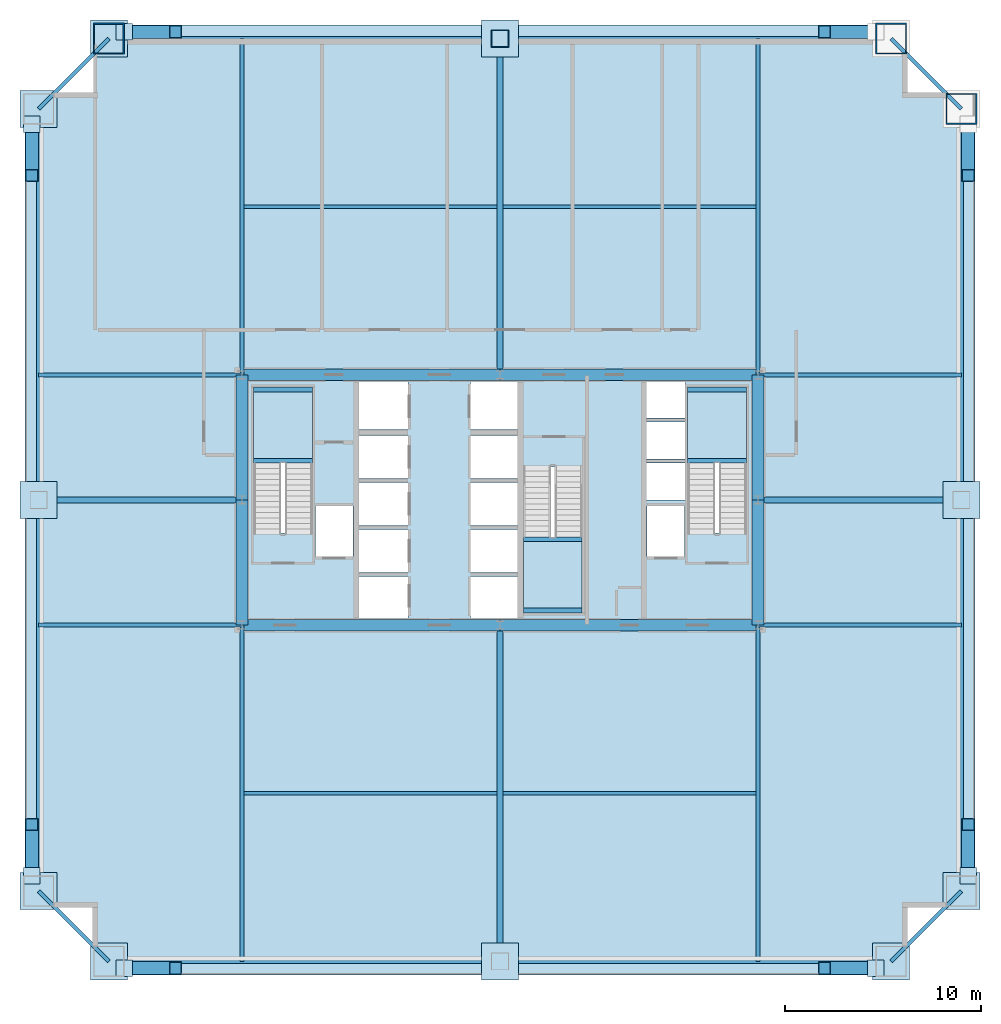
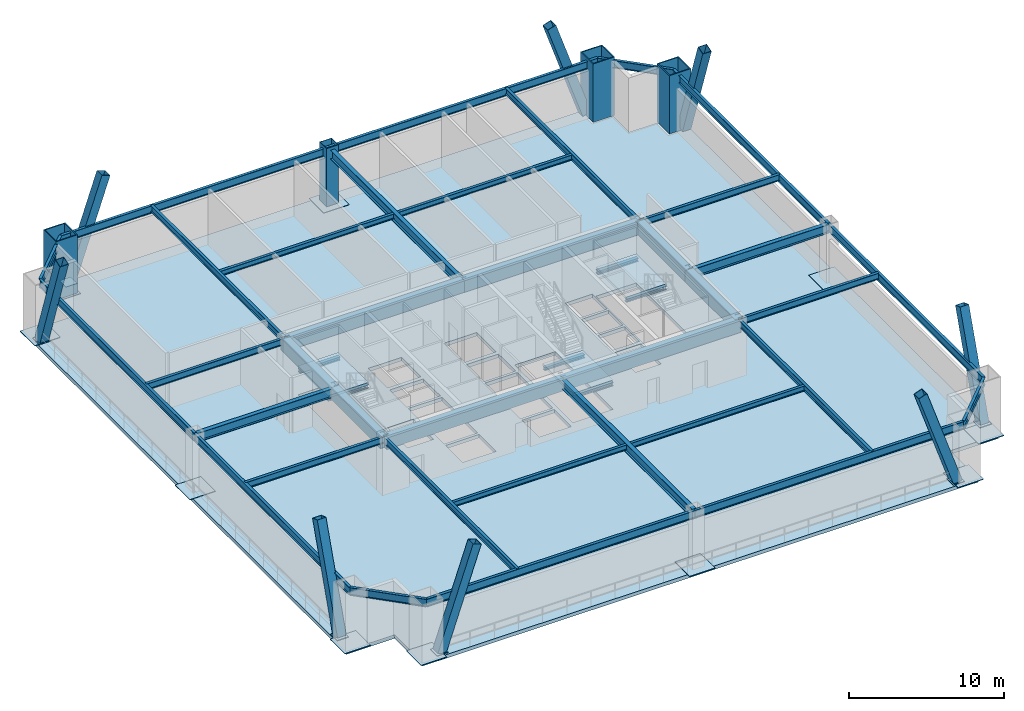
# One storey, part 2 of 9: 42 beams, 16 plates, 8 members, 4 columns, 4 slabs, 3 elements without a shape of their own.
"""IFC4 building model written with IfcOpenShell, lengths in metres."""

from ifc_helpers import new_model, si_unit, direction, frame, origin, origin_2d, place, context, subcontext, project, spatial, polyline, rectangle, hollow_rectangle, i_section, outline, extrude, source, transform, mapped, material, layer, layer_set, material_profile, profile_set, type_object, element, aggregate, save


model = new_model("IFC4")

# Units and contexts
model_context = context("Model", 3, precision=1e-05, world=origin(), true_north=direction((0.0, 1.0)))
body_context = subcontext(model_context, "Body", "Model", "MODEL_VIEW")
ifc_project = project(units=[si_unit("LENGTHUNIT", "METRE"), si_unit("AREAUNIT", "SQUARE_METRE"), si_unit("VOLUMEUNIT", "CUBIC_METRE"), si_unit("PLANEANGLEUNIT", "RADIAN"), si_unit("MASSUNIT", "GRAM", prefix="KILO"), si_unit("THERMODYNAMICTEMPERATUREUNIT", "KELVIN"), si_unit("POWERUNIT", "WATT")], contexts=[model_context])

# Site, building, storey
site_placement = place(None, origin())
site = spatial("IfcSite", under=ifc_project, at=site_placement, CompositionType="ELEMENT")
building_placement = place(site_placement, origin())
building = spatial("IfcBuilding", under=site, at=building_placement, Name="Yuzanri Waterfront Tower", CompositionType="ELEMENT")
storey_placement = place(building_placement, frame((0.0, 0.0, 85.60009765625)))
storey = spatial("IfcBuildingStorey", under=building, at=storey_placement, Name="L22", CompositionType="ELEMENT", Elevation=85.60009765625)

# Columns
ifc_material_1 = material(Name="Steel Q420GJC", Category="steel")
ifc_material_profile_1 = material_profile(ifc_material_1, hollow_rectangle(XDim=1.60009765625, YDim=1.60009765625, WallThickness=0.070068359375, at=origin_2d()), Name="RHS 1600x1600x70")
ifc_profile_set_1 = profile_set([ifc_material_profile_1], Name="Steel Q420GJC")
column_type_1 = type_object("IfcColumnType", Name="Mega Column Q420GJC RHS 1600x1600x70", PredefinedType="COLUMN", material=ifc_profile_set_1)
shared_shape_1 = source(origin(), body_context, "Body", "SweptSolid", [
    extrude(hollow_rectangle(XDim=1.60009765625, YDim=1.60009765625, WallThickness=0.070068359375, at=origin_2d()), origin(), (0.0, 0.0, 1.0), 4.599853515625),
])
for number, where, z_axis, x_axis, name in (
    (1, (17.0, 49.39990234375, 0.0), (0.0, 0.0, 1.0), (1.0, 0.0, 0.0), "L22 Perimeter Mega Column N1"),
    (2, (57.0, 49.39990234375, 0.0), (0.0, 0.0, 1.0), (1.0, 0.0, 0.0), "L22 Perimeter Mega Column N3"),
    (3, (60.60009765625, 45.800048828125, 0.0), (0.0, 0.0, 1.0), (1.0, 0.0, 0.0), "L22 Perimeter Mega Column E3"),
):
    element("IfcColumn", number, at=place(storey_placement, frame(where, z_axis=z_axis, x_axis=x_axis)), inside=storey, type_object=column_type_1, Name=name, PredefinedType="COLUMN", context=body_context, shape_type="MappedRepresentation", body=[
        mapped(shared_shape_1, transform((0.0, 0.0, 0.0), scale=1.0)),
    ])
ifc_material_2 = material(Name="Steel Q390GJC", Category="steel")
ifc_material_profile_2 = material_profile(ifc_material_2, hollow_rectangle(XDim=0.89990234375, YDim=0.89990234375, WallThickness=0.0419921875, at=origin_2d()), Name="RHS 900x900x42")
ifc_profile_set_2 = profile_set([ifc_material_profile_2], Name="Steel Q390GJC")
column_type_2 = type_object("IfcColumnType", Name="Frame Column Q390GJC RHS 900x900x42", PredefinedType="COLUMN", material=ifc_profile_set_2)
shared_shape_2 = source(origin(), body_context, "Body", "SweptSolid", [
    extrude(hollow_rectangle(XDim=0.89990234375, YDim=0.89990234375, WallThickness=0.0419921875, at=origin_2d()), origin(), (0.0, 0.0, 1.0), 4.599853515625),
])
column_placement = place(storey_placement, frame((37.0, 49.39990234375, 0.0), z_axis=(0.0, 0.0, 1.0), x_axis=(1.0, 0.0, 0.0)))
element("IfcColumn", 4, at=column_placement, inside=storey, type_object=column_type_2, Name="L22 Perimeter Frame Column N2", PredefinedType="COLUMN", context=body_context, shape_type="MappedRepresentation", body=[
    mapped(shared_shape_2, transform((0.0, 0.0, 0.0), scale=1.0)),
])

# Beams
ifc_material_3 = material(Name="Concrete C60", Category="concrete")
ifc_material_profile_3 = material_profile(ifc_material_3, rectangle(XDim=0.60009765625, YDim=0.89990234375, at=origin_2d()), Name="RC 600x900")
ifc_profile_set_3 = profile_set([ifc_material_profile_3], Name="Concrete C60")
beam_type_1 = type_object("IfcBeamType", Name="Core Coupling Lintel Concrete C60 600x900", PredefinedType="LINTEL", material=ifc_profile_set_3)
shared_shape_3 = source(origin(), body_context, "Body", "SweptSolid", [
    extrude(rectangle(XDim=0.60009765625, YDim=0.89990234375, at=origin_2d()), origin(), (0.0, 0.0, 1.0), 13.199951171875),
])
for number, where, z_axis, x_axis, name in (
    (5, (23.800048828125, 19.39990234375, 3.929931640625), (1.0, 0.0, 0.0), (0.0, 1.0, 0.0), "L22 Core Tie Beam CS1"),
    (6, (37.0, 19.39990234375, 3.929931640625), (1.0, 0.0, 0.0), (0.0, 1.0, 0.0), "L22 Core Tie Beam CS2"),
    (7, (23.800048828125, 32.199951171875, 3.929931640625), (1.0, 0.0, 0.0), (0.0, 1.0, 0.0), "L22 Core Tie Beam CN1"),
    (8, (37.0, 32.199951171875, 3.929931640625), (1.0, 0.0, 0.0), (0.0, 1.0, 0.0), "L22 Core Tie Beam CN2"),
):
    element("IfcBeam", number, at=place(storey_placement, frame(where, z_axis=z_axis, x_axis=x_axis)), inside=storey, type_object=beam_type_1, Name=name, PredefinedType="LINTEL", context=body_context, shape_type="MappedRepresentation", body=[
        mapped(shared_shape_3, transform((0.0, 0.0, 0.0), scale=1.0)),
    ])
shared_shape_4 = source(origin(), body_context, "Body", "SweptSolid", [
    extrude(rectangle(XDim=0.60009765625, YDim=0.89990234375, at=origin_2d()), origin(), (0.0, 0.0, 1.0), 6.400146484375),
])
for number, where, z_axis, x_axis, name in (
    (9, (23.800048828125, 19.39990234375, 3.929931640625), (0.0, 1.0, 0.0), (-1.0, 0.0, 0.0), "L22 Core Tie Beam CW1"),
    (10, (50.199951171875, 19.39990234375, 3.929931640625), (0.0, 1.0, 0.0), (-1.0, 0.0, 0.0), "L22 Core Tie Beam CE1"),
):
    element("IfcBeam", number, at=place(storey_placement, frame(where, z_axis=z_axis, x_axis=x_axis)), inside=storey, type_object=beam_type_1, Name=name, PredefinedType="LINTEL", context=body_context, shape_type="MappedRepresentation", body=[
        mapped(shared_shape_4, transform((0.0, 0.0, 0.0), scale=1.0)),
    ])
shared_shape_5 = source(origin(), body_context, "Body", "SweptSolid", [
    extrude(rectangle(XDim=0.60009765625, YDim=0.89990234375, at=origin_2d()), origin(), (0.0, 0.0, 1.0), 6.39990234375),
])
for number, where, z_axis, x_axis, name in (
    (11, (23.800048828125, 25.800048828125, 3.929931640625), (0.0, 1.0, 0.0), (-1.0, 0.0, 0.0), "L22 Core Tie Beam CW2"),
    (12, (50.199951171875, 25.800048828125, 3.929931640625), (0.0, 1.0, 0.0), (-1.0, 0.0, 0.0), "L22 Core Tie Beam CE2"),
):
    element("IfcBeam", number, at=place(storey_placement, frame(where, z_axis=z_axis, x_axis=x_axis)), inside=storey, type_object=beam_type_1, Name=name, PredefinedType="LINTEL", context=body_context, shape_type="MappedRepresentation", body=[
        mapped(shared_shape_5, transform((0.0, 0.0, 0.0), scale=1.0)),
    ])
ifc_material_4 = material(Name="Steel Q355B", Category="steel")
ifc_material_profile_4 = material_profile(ifc_material_4, i_section(OverallWidth=0.199951171875, OverallDepth=0.60009765625, WebThickness=0.010986328125, FlangeThickness=0.01708984375, at=origin_2d()), Name="HN 600x200x11x17")
ifc_profile_set_4 = profile_set([ifc_material_profile_4], Name="Steel Q355B")
beam_type_2 = type_object("IfcBeamType", Name="Perimeter Spandrel Q355B HN 600x200", PredefinedType="SPANDREL", material=ifc_profile_set_4)
shared_shape_6 = source(origin(), body_context, "Body", "SweptSolid", [
    extrude(i_section(OverallWidth=0.199951171875, OverallDepth=0.60009765625, WebThickness=0.010986328125, FlangeThickness=0.01708984375, at=origin_2d()), origin(), (0.0, 0.0, 1.0), 5.09130859375),
])
for number, where, z_axis, x_axis, name in (
    (13, (57.0, 2.199951171875, 4.079833984375), (0.707106781187, 0.707106781187, 0.0), (-0.707106781187, 0.707106781187, 0.0), "L22 Perimeter Spandrel S3-E1"),
    (14, (13.39990234375, 5.800048828125, 4.079833984375), (0.707106781187, -0.707106781187, 0.0), (0.707106781187, 0.707106781187, 0.0), "L22 Perimeter Spandrel W1-S1"),
):
    element("IfcBeam", number, at=place(storey_placement, frame(where, z_axis=z_axis, x_axis=x_axis)), inside=storey, type_object=beam_type_2, Name=name, PredefinedType="SPANDREL", context=body_context, shape_type="MappedRepresentation", body=[
        mapped(shared_shape_6, transform((0.0, 0.0, 0.0), scale=1.0)),
    ])
shared_shape_7 = source(origin(), body_context, "Body", "SweptSolid", [
    extrude(i_section(OverallWidth=0.199951171875, OverallDepth=0.60009765625, WebThickness=0.010986328125, FlangeThickness=0.01708984375, at=origin_2d()), origin(), (0.0, 0.0, 1.0), 5.091064453125),
])
for number, where, z_axis, x_axis, name in (
    (15, (60.60009765625, 45.800048828125, 4.079833984375), (-0.707130757816, 0.707082803744, 0.0), (-0.707082803744, -0.707130757816, 0.0), "L22 Perimeter Spandrel E3-N3"),
    (16, (17.0, 49.39990234375, 4.079833984375), (-0.707130757816, -0.707082803744, 0.0), (0.707082803744, -0.707130757816, 0.0), "L22 Perimeter Spandrel N1-W3"),
):
    element("IfcBeam", number, at=place(storey_placement, frame(where, z_axis=z_axis, x_axis=x_axis)), inside=storey, type_object=beam_type_2, Name=name, PredefinedType="SPANDREL", context=body_context, shape_type="MappedRepresentation", body=[
        mapped(shared_shape_7, transform((0.0, 0.0, 0.0), scale=1.0)),
    ])
ifc_material_5 = material(Name="Steel Q355B", Category="steel")
ifc_material_profile_5 = material_profile(ifc_material_5, i_section(OverallWidth=0.199951171875, OverallDepth=0.39990234375, WebThickness=0.008056640625, FlangeThickness=0.012939453125, at=origin_2d()), Name="HN 400x200x8x13")
ifc_profile_set_5 = profile_set([ifc_material_profile_5], Name="Steel Q355B")
beam_type_3 = type_object("IfcBeamType", Name="Floor Joist Q355B HN 400x200", PredefinedType="JOIST", material=ifc_profile_set_5)
shared_shape_8 = source(origin(), body_context, "Body", "SweptSolid", [
    extrude(i_section(OverallWidth=0.199951171875, OverallDepth=0.39990234375, WebThickness=0.008056640625, FlangeThickness=0.012939453125, at=origin_2d()), origin(), (0.0, 0.0, 1.0), 12.9501953125),
])
for number, where, z_axis, x_axis, name in (
    (17, (23.89990234375, 10.800048828125, 4.179931640625), (1.0, 0.0, 0.0), (0.0, 1.0, 0.0), "L22 South Bay Joist W"),
    (18, (37.14990234375, 10.800048828125, 4.179931640625), (1.0, 0.0, 0.0), (0.0, 1.0, 0.0), "L22 South Bay Joist E"),
    (19, (23.89990234375, 40.800048828125, 4.179931640625), (1.0, 0.0, 0.0), (0.0, 1.0, 0.0), "L22 North Bay Joist W"),
    (20, (37.14990234375, 40.800048828125, 4.179931640625), (1.0, 0.0, 0.0), (0.0, 1.0, 0.0), "L22 North Bay Joist E"),
):
    element("IfcBeam", number, at=place(storey_placement, frame(where, z_axis=z_axis, x_axis=x_axis)), inside=storey, type_object=beam_type_3, Name=name, PredefinedType="JOIST", context=body_context, shape_type="MappedRepresentation", body=[
        mapped(shared_shape_8, transform((0.0, 0.0, 0.0), scale=1.0)),
    ])
shared_shape_9 = source(origin(), body_context, "Body", "SweptSolid", [
    extrude(i_section(OverallWidth=0.199951171875, OverallDepth=0.60009765625, WebThickness=0.010986328125, FlangeThickness=0.01708984375, at=origin_2d()), origin(), (0.0, 0.0, 1.0), 20.0),
])
for number, where, z_axis, x_axis, name in (
    (21, (17.0, 2.199951171875, 4.079833984375), (1.0, 0.0, 0.0), (0.0, 1.0, 0.0), "L22 Perimeter Spandrel S1-S2"),
    (22, (37.0, 2.199951171875, 4.079833984375), (1.0, 0.0, 0.0), (0.0, 1.0, 0.0), "L22 Perimeter Spandrel S2-S3"),
    (23, (60.60009765625, 5.800048828125, 4.079833984375), (0.0, 1.0, 0.0), (-1.0, 0.0, 0.0), "L22 Perimeter Spandrel E1-E2"),
    (24, (60.60009765625, 25.800048828125, 4.079833984375), (0.0, 1.0, 0.0), (-1.0, 0.0, 0.0), "L22 Perimeter Spandrel E2-E3"),
    (25, (57.0, 49.39990234375, 4.079833984375), (-1.0, 0.0, 0.0), (0.0, -1.0, 0.0), "L22 Perimeter Spandrel N3-N2"),
    (26, (37.0, 49.39990234375, 4.079833984375), (-1.0, 0.0, 0.0), (0.0, -1.0, 0.0), "L22 Perimeter Spandrel N2-N1"),
    (27, (13.39990234375, 45.800048828125, 4.079833984375), (0.0, -1.0, 0.0), (1.0, 0.0, 0.0), "L22 Perimeter Spandrel W3-W2"),
    (28, (13.39990234375, 25.800048828125, 4.079833984375), (0.0, -1.0, 0.0), (1.0, 0.0, 0.0), "L22 Perimeter Spandrel W2-W1"),
):
    element("IfcBeam", number, at=place(storey_placement, frame(where, z_axis=z_axis, x_axis=x_axis)), inside=storey, type_object=beam_type_2, Name=name, PredefinedType="SPANDREL", context=body_context, shape_type="MappedRepresentation", body=[
        mapped(shared_shape_9, transform((0.0, 0.0, 0.0), scale=1.0)),
    ])
ifc_material_6 = material(Name="Steel Q355B", Category="steel")
ifc_material_profile_6 = material_profile(ifc_material_6, i_section(OverallWidth=0.300048828125, OverallDepth=0.699951171875, WebThickness=0.012939453125, FlangeThickness=0.02392578125, at=origin_2d()), Name="HN 700x300x13x24")
ifc_profile_set_6 = profile_set([ifc_material_profile_6], Name="Steel Q355B")
beam_type_4 = type_object("IfcBeamType", Name="Primary Floor Girder Q355B HN 700x300", PredefinedType="BEAM", material=ifc_profile_set_6)
shared_shape_10 = source(origin(), body_context, "Body", "SweptSolid", [
    extrude(i_section(OverallWidth=0.300048828125, OverallDepth=0.699951171875, WebThickness=0.012939453125, FlangeThickness=0.02392578125, at=origin_2d()), origin(), (0.0, 0.0, 1.0), 17.199951171875),
])
for number, where, z_axis, x_axis, name in (
    (29, (37.0, 19.39990234375, 4.02978515625), (0.0, -1.0, 0.0), (1.0, 0.0, 0.0), "L22 South Grid Girder"),
    (30, (37.0, 32.199951171875, 4.02978515625), (0.0, 1.0, 0.0), (-1.0, 0.0, 0.0), "L22 North Grid Girder"),
):
    element("IfcBeam", number, at=place(storey_placement, frame(where, z_axis=z_axis, x_axis=x_axis)), inside=storey, type_object=beam_type_4, Name=name, PredefinedType="BEAM", context=body_context, shape_type="MappedRepresentation", body=[
        mapped(shared_shape_10, transform((0.0, 0.0, 0.0), scale=1.0)),
    ])
shared_shape_11 = source(origin(), body_context, "Body", "SweptSolid", [
    extrude(i_section(OverallWidth=0.300048828125, OverallDepth=0.699951171875, WebThickness=0.012939453125, FlangeThickness=0.02392578125, at=origin_2d()), origin(), (0.0, 0.0, 1.0), 10.400146484375),
])
for number, where, z_axis, x_axis, name in (
    (31, (23.800048828125, 25.800048828125, 4.02978515625), (-1.0, 0.0, 0.0), (0.0, -1.0, 0.0), "L22 West Grid Girder"),
    (32, (50.199951171875, 25.800048828125, 4.02978515625), (1.0, 0.0, 0.0), (0.0, 1.0, 0.0), "L22 East Grid Girder"),
):
    element("IfcBeam", number, at=place(storey_placement, frame(where, z_axis=z_axis, x_axis=x_axis)), inside=storey, type_object=beam_type_4, Name=name, PredefinedType="BEAM", context=body_context, shape_type="MappedRepresentation", body=[
        mapped(shared_shape_11, transform((0.0, 0.0, 0.0), scale=1.0)),
    ])
ifc_material_7 = material(Name="Steel Q355B", Category="steel")
ifc_material_profile_7 = material_profile(ifc_material_7, i_section(OverallWidth=0.199951171875, OverallDepth=0.5, WebThickness=0.010009765625, FlangeThickness=0.01611328125, at=origin_2d()), Name="HN 500x200x10x16")
ifc_profile_set_7 = profile_set([ifc_material_profile_7], Name="Steel Q355B")
beam_type_5 = type_object("IfcBeamType", Name="Secondary Floor Beam Q355B HN 500x200", PredefinedType="BEAM", material=ifc_profile_set_7)
shared_shape_12 = source(origin(), body_context, "Body", "SweptSolid", [
    extrude(i_section(OverallWidth=0.199951171875, OverallDepth=0.5, WebThickness=0.010009765625, FlangeThickness=0.01611328125, at=origin_2d()), origin(), (0.0, 0.0, 1.0), 17.199951171875),
])
for number, where, z_axis, x_axis, name in (
    (33, (23.800048828125, 19.39990234375, 4.1298828125), (0.0, -1.0, 0.0), (1.0, 0.0, 0.0), "L22 South-West Core Line Beam"),
    (34, (50.199951171875, 19.39990234375, 4.1298828125), (0.0, -1.0, 0.0), (1.0, 0.0, 0.0), "L22 South-East Core Line Beam"),
    (35, (23.800048828125, 32.199951171875, 4.1298828125), (0.0, 1.0, 0.0), (-1.0, 0.0, 0.0), "L22 North-West Core Line Beam"),
    (36, (50.199951171875, 32.199951171875, 4.1298828125), (0.0, 1.0, 0.0), (-1.0, 0.0, 0.0), "L22 North-East Core Line Beam"),
):
    element("IfcBeam", number, at=place(storey_placement, frame(where, z_axis=z_axis, x_axis=x_axis)), inside=storey, type_object=beam_type_5, Name=name, PredefinedType="BEAM", context=body_context, shape_type="MappedRepresentation", body=[
        mapped(shared_shape_12, transform((0.0, 0.0, 0.0), scale=1.0)),
    ])
shared_shape_13 = source(origin(), body_context, "Body", "SweptSolid", [
    extrude(i_section(OverallWidth=0.199951171875, OverallDepth=0.5, WebThickness=0.010009765625, FlangeThickness=0.01611328125, at=origin_2d()), origin(), (0.0, 0.0, 1.0), 10.400146484375),
])
for number, where, z_axis, x_axis, name in (
    (37, (23.800048828125, 19.39990234375, 4.1298828125), (-1.0, 0.0, 0.0), (0.0, -1.0, 0.0), "L22 West-South Core Line Beam"),
    (38, (23.800048828125, 32.199951171875, 4.1298828125), (-1.0, 0.0, 0.0), (0.0, -1.0, 0.0), "L22 West-North Core Line Beam"),
    (39, (50.199951171875, 19.39990234375, 4.1298828125), (1.0, 0.0, 0.0), (0.0, 1.0, 0.0), "L22 East-South Core Line Beam"),
    (40, (50.199951171875, 32.199951171875, 4.1298828125), (1.0, 0.0, 0.0), (0.0, 1.0, 0.0), "L22 East-North Core Line Beam"),
):
    element("IfcBeam", number, at=place(storey_placement, frame(where, z_axis=z_axis, x_axis=x_axis)), inside=storey, type_object=beam_type_5, Name=name, PredefinedType="BEAM", context=body_context, shape_type="MappedRepresentation", body=[
        mapped(shared_shape_13, transform((0.0, 0.0, 0.0), scale=1.0)),
    ])

# Members
ifc_material_8 = material(Name="Steel Q420GJC", Category="steel")
ifc_material_profile_8 = material_profile(ifc_material_8, hollow_rectangle(XDim=0.64990234375, YDim=0.64990234375, WallThickness=0.028076171875, at=origin_2d()), Name="RHS 650x650x28")
ifc_profile_set_8 = profile_set([ifc_material_profile_8], Name="Steel Q420GJC")
member_type = type_object("IfcMemberType", Name="Mega Brace Lower Q420GJC RHS 650x650x28", PredefinedType="BRACE", material=ifc_profile_set_8)
shared_shape_14 = source(origin(), body_context, "Body", "SweptSolid", [
    extrude(hollow_rectangle(XDim=0.64990234375, YDim=0.64990234375, WallThickness=0.028076171875, at=origin_2d()), origin(), (0.0, 0.0, 1.0), 8.133544921875),
])
for number, where, z_axis, x_axis, name in (
    (41, (17.780029296875, 1.860107421875, 0.179931640625), (0.32211098158, 0.0, 0.946701914831), (0.0, 1.0, 0.0), "L22-L23 Perimeter Mega-Brace S-L"),
    (42, (56.219970703125, 1.860107421875, 0.179931640625), (-0.32211098158, 0.0, 0.946701914831), (0.0, -1.0, 0.0), "L22-L23 Perimeter Mega-Brace S-R"),
    (43, (17.780029296875, 49.739990234375, 0.179931640625), (0.32211098158, 0.0, 0.946701914831), (0.0, 1.0, 0.0), "L22-L23 Perimeter Mega-Brace N-L"),
    (44, (56.219970703125, 49.739990234375, 0.179931640625), (-0.32211098158, 0.0, 0.946701914831), (0.0, -1.0, 0.0), "L22-L23 Perimeter Mega-Brace N-R"),
    (45, (13.06005859375, 6.580078125, 0.179931640625), (0.0, 0.32211098158, 0.946701914831), (-1.0, 0.0, 0.0), "L22-L23 Perimeter Mega-Brace W-L"),
    (46, (13.06005859375, 45.02001953125, 0.179931640625), (0.0, -0.322137883641, 0.946692761102), (1.0, 0.0, 0.0), "L22-L23 Perimeter Mega-Brace W-R"),
    (47, (60.93994140625, 6.580078125, 0.179931640625), (0.0, 0.32211098158, 0.946701914831), (-1.0, 0.0, 0.0), "L22-L23 Perimeter Mega-Brace E-L"),
    (48, (60.93994140625, 45.02001953125, 0.179931640625), (0.0, -0.322137883641, 0.946692761102), (1.0, 0.0, 0.0), "L22-L23 Perimeter Mega-Brace E-R"),
):
    element("IfcMember", number, at=place(storey_placement, frame(where, z_axis=z_axis, x_axis=x_axis)), inside=storey, type_object=member_type, Name=name, PredefinedType="BRACE", context=body_context, shape_type="MappedRepresentation", body=[
        mapped(shared_shape_14, transform((0.0, 0.0, 0.0), scale=1.0)),
    ])

# Beams
ifc_material_9 = material(Name="Steel Q355B", Category="steel")
ifc_material_profile_9 = material_profile(ifc_material_9, i_section(OverallWidth=0.25, OverallDepth=0.25, WebThickness=0.009033203125, FlangeThickness=0.013916015625, at=origin_2d()), Name="HW 250x250x9x14")
ifc_profile_set_9 = profile_set([ifc_material_profile_9], Name="Steel Q355B")
beam_type_6 = type_object("IfcBeamType", Name="Stair Landing Support Beam Q355B HW 250x250", PredefinedType="BEAM", material=ifc_profile_set_9)
shared_shape_15 = source(origin(), body_context, "Body", "SweptSolid", [
    extrude(i_section(OverallWidth=0.25, OverallDepth=0.25, WebThickness=0.009033203125, FlangeThickness=0.013916015625, at=origin_2d()), origin(), (0.0, 0.0, 1.0), 3.0),
])
for number, where, z_axis, x_axis, name in (
    (49, (24.39990234375, 27.81005859375, 1.974853515625), (1.0, 0.0, 0.0), (0.0, 1.0, 0.0), "L22 Stair Landing Support Beam ST-01-L22-L1-1"),
    (50, (24.39990234375, 31.449951171875, 1.974853515625), (1.0, 0.0, 0.0), (0.0, 1.0, 0.0), "L22 Stair Landing Support Beam ST-01-L22-L1-2"),
    (51, (46.60009765625, 27.81005859375, 1.974853515625), (1.0, 0.0, 0.0), (0.0, 1.0, 0.0), "L22 Stair Landing Support Beam ST-02-L22-L1-1"),
    (52, (46.60009765625, 31.449951171875, 1.974853515625), (1.0, 0.0, 0.0), (0.0, 1.0, 0.0), "L22 Stair Landing Support Beam ST-02-L22-L1-2"),
    (53, (38.199951171875, 20.14990234375, 1.974853515625), (1.0, 0.0, 0.0), (0.0, 1.0, 0.0), "L22 Stair Landing Support Beam ST-03-L22-L1-1"),
    (54, (38.199951171875, 23.7900390625, 1.974853515625), (1.0, 0.0, 0.0), (0.0, 1.0, 0.0), "L22 Stair Landing Support Beam ST-03-L22-L1-2"),
):
    element("IfcBeam", number, at=place(storey_placement, frame(where, z_axis=z_axis, x_axis=x_axis)), inside=storey, type_object=beam_type_6, Name=name, PredefinedType="BEAM", context=body_context, shape_type="MappedRepresentation", body=[
        mapped(shared_shape_15, transform((0.0, 0.0, 0.0), scale=1.0)),
    ])

# Stair, slab
ifc_material_10 = material(Name="Concrete C40", Category="concrete")
stair_type = type_object("IfcStairType", Name="Concrete C40 Core Dogleg Exit Stair", PredefinedType="HALF_TURN_STAIR", material=ifc_material_10)
stair_1_placement = place(storey_placement, origin())
stair_1 = element("IfcStair", 55, at=stair_1_placement, inside=storey, type_object=stair_type, Name="L22 Smoke-Proof Core Stair ST-01", PredefinedType="HALF_TURN_STAIR")
ifc_material_11 = material(Name="Concrete C40", Category="concrete")
ifc_layer_1 = layer(ifc_material_11, 0.179931640625)
ifc_layer_set_1 = layer_set([ifc_layer_1], Name="Concrete C40")
slab_type_1 = type_object("IfcSlabType", Name="Concrete C40 Stair Half-Landing Slab 180", PredefinedType="LANDING", material=ifc_layer_set_1)
slab_1_placement = place(storey_placement, frame((0.0, 0.0, 2.099853515625)))
slab_1 = element("IfcSlab", 56, at=slab_1_placement, type_object=slab_type_1, Name="ST-01 landing 1", PredefinedType="LANDING", context=body_context, shape_type="SweptSolid", body=[
    extrude(outline(polyline([(27.39990234375, 27.679931640625), (27.39990234375, 31.580078125), (24.39990234375, 31.580078125), (24.39990234375, 27.679931640625), (27.39990234375, 27.679931640625)])), origin(), (0.0, 0.0, 1.0), 0.199951171875),
])
aggregate(stair_1, [slab_1])

stair_2_placement = place(storey_placement, origin())
stair_2 = element("IfcStair", 57, at=stair_2_placement, inside=storey, type_object=stair_type, Name="L22 Smoke-Proof Core Stair ST-02", PredefinedType="HALF_TURN_STAIR")
slab_2_placement = place(storey_placement, frame((0.0, 0.0, 2.099853515625)))
slab_2 = element("IfcSlab", 58, at=slab_2_placement, type_object=slab_type_1, Name="ST-02 landing 1", PredefinedType="LANDING", context=body_context, shape_type="SweptSolid", body=[
    extrude(outline(polyline([(49.60009765625, 27.679931640625), (49.60009765625, 31.580078125), (46.60009765625, 31.580078125), (46.60009765625, 27.679931640625), (49.60009765625, 27.679931640625)])), origin(), (0.0, 0.0, 1.0), 0.199951171875),
])
aggregate(stair_2, [slab_2])

stair_3_placement = place(storey_placement, origin())
stair_3 = element("IfcStair", 59, at=stair_3_placement, inside=storey, type_object=stair_type, Name="L22 Smoke-Proof Core Stair ST-03", PredefinedType="HALF_TURN_STAIR")
slab_3_placement = place(storey_placement, frame((0.0, 0.0, 2.099853515625)))
slab_3 = element("IfcSlab", 60, at=slab_3_placement, type_object=slab_type_1, Name="ST-03 landing 1", PredefinedType="LANDING", context=body_context, shape_type="SweptSolid", body=[
    extrude(outline(polyline([(38.199951171875, 23.919921875), (38.199951171875, 20.02001953125), (41.199951171875, 20.02001953125), (41.199951171875, 23.919921875), (38.199951171875, 23.919921875)])), origin(), (0.0, 0.0, 1.0), 0.199951171875),
])
aggregate(stair_3, [slab_3])

# Slab
ifc_material_12 = material(Name="Concrete C45", Category="concrete")
ifc_layer_2 = layer(ifc_material_12, 0.280029296875)
ifc_layer_set_2 = layer_set([ifc_layer_2], Name="Concrete C45")
slab_type_2 = type_object("IfcSlabType", Name="Concrete C45 Podium and Refuge Structural Floor Slab 280", PredefinedType="FLOOR", material=ifc_layer_set_2)
slab_4_placement = place(storey_placement, frame((0.0, 0.0, -0.280029296875)))
element("IfcSlab", 61, at=slab_4_placement, inside=storey, type_object=slab_type_2, Name="L22 Main Structural Floor Slab", PredefinedType="FLOOR", context=body_context, shape_type="SweptSolid", body=[
    extrude(outline(polyline([(16.300048828125, 1.5), (57.699951171875, 1.5), (57.699951171875, 5.10009765625), (61.300048828125, 5.10009765625), (61.300048828125, 46.5), (57.699951171875, 46.5), (57.699951171875, 50.10009765625), (16.300048828125, 50.10009765625), (16.300048828125, 46.5), (12.699951171875, 46.5), (12.699951171875, 5.10009765625), (16.300048828125, 5.10009765625), (16.300048828125, 1.5)]), holes=[polyline([(27.39990234375, 24.10009765625), (27.39990234375, 31.580078125), (24.39990234375, 31.580078125), (24.39990234375, 24.10009765625), (27.39990234375, 24.10009765625)]), polyline([(49.60009765625, 24.10009765625), (49.60009765625, 31.580078125), (46.60009765625, 31.580078125), (46.60009765625, 24.10009765625), (49.60009765625, 24.10009765625)]), polyline([(38.199951171875, 27.5), (38.199951171875, 20.02001953125), (41.199951171875, 20.02001953125), (41.199951171875, 27.5), (38.199951171875, 27.5)]), polyline([(27.56005859375, 22.89990234375), (29.47998046875, 22.89990234375), (29.47998046875, 25.5), (27.56005859375, 25.5), (27.56005859375, 22.89990234375)]), polyline([(44.52001953125, 22.89990234375), (46.43994140625, 22.89990234375), (46.43994140625, 25.5), (44.52001953125, 25.5), (44.52001953125, 22.89990234375)]), polyline([(29.800048828125, 19.699951171875), (32.300048828125, 19.699951171875), (32.300048828125, 21.89990234375), (29.800048828125, 21.89990234375), (29.800048828125, 19.699951171875)]), polyline([(29.800048828125, 22.10009765625), (32.300048828125, 22.10009765625), (32.300048828125, 24.300048828125), (29.800048828125, 24.300048828125), (29.800048828125, 22.10009765625)]), polyline([(29.800048828125, 24.5), (32.300048828125, 24.5), (32.300048828125, 26.699951171875), (29.800048828125, 26.699951171875), (29.800048828125, 24.5)]), polyline([(29.800048828125, 26.89990234375), (32.300048828125, 26.89990234375), (32.300048828125, 29.10009765625), (29.800048828125, 29.10009765625), (29.800048828125, 26.89990234375)]), polyline([(29.800048828125, 29.39990234375), (32.300048828125, 29.39990234375), (32.300048828125, 31.89990234375), (29.800048828125, 31.89990234375), (29.800048828125, 29.39990234375)]), polyline([(35.5, 19.699951171875), (37.89990234375, 19.699951171875), (37.89990234375, 21.89990234375), (35.5, 21.89990234375), (35.5, 19.699951171875)]), polyline([(35.5, 22.10009765625), (37.89990234375, 22.10009765625), (37.89990234375, 24.300048828125), (35.5, 24.300048828125), (35.5, 22.10009765625)]), polyline([(35.5, 24.5), (37.89990234375, 24.5), (37.89990234375, 26.699951171875), (35.5, 26.699951171875), (35.5, 24.5)]), polyline([(35.5, 26.89990234375), (37.89990234375, 26.89990234375), (37.89990234375, 29.10009765625), (35.5, 29.10009765625), (35.5, 26.89990234375)]), polyline([(35.5, 29.39990234375), (37.89990234375, 29.39990234375), (37.89990234375, 31.89990234375), (35.5, 31.89990234375), (35.5, 29.39990234375)]), polyline([(44.5, 25.800048828125), (46.5, 25.800048828125), (46.5, 27.699951171875), (44.5, 27.699951171875), (44.5, 25.800048828125)]), polyline([(44.5, 27.89990234375), (46.5, 27.89990234375), (46.5, 29.800048828125), (44.5, 29.800048828125), (44.5, 27.89990234375)]), polyline([(44.5, 30.0), (46.5, 30.0), (46.5, 31.89990234375), (44.5, 31.89990234375), (44.5, 30.0)])]), origin(), (0.0, 0.0, 1.0), 0.280029296875),
])

# Plates
ifc_material_13 = material(Name="Steel Q420GJC", Category="steel")
ifc_layer_3 = layer(ifc_material_13, 0.044921875)
ifc_layer_set_3 = layer_set([ifc_layer_3], Name="Steel Q420GJC")
plate_type_1 = type_object("IfcPlateType", Name="Steel Q420GJC Setback Column-Transfer Diaphragm Cap Plate 45", PredefinedType="SHEET", material=ifc_layer_set_3)
shared_shape_16 = source(origin(), body_context, "Body", "SweptSolid", [
    extrude(rectangle(XDim=1.89990234375, YDim=1.89990234375, at=origin_2d()), origin(), (0.0, 0.0, 1.0), 0.044921875),
])
for number, where, z_axis, x_axis, name in (
    (62, (17.0, 2.199951171875, -0.0224609375), (0.0, 0.0, 1.0), (1.0, 0.0, 0.0), "L22 Column Base Closure Plate S1"),
    (63, (37.0, 2.199951171875, -0.0224609375), (0.0, 0.0, 1.0), (1.0, 0.0, 0.0), "L22 Column Base Closure Plate S2"),
    (64, (57.0, 2.199951171875, -0.0224609375), (0.0, 0.0, 1.0), (1.0, 0.0, 0.0), "L22 Column Base Closure Plate S3"),
    (65, (17.0, 49.39990234375, -0.0224609375), (0.0, 0.0, 1.0), (1.0, 0.0, 0.0), "L22 Column Base Closure Plate N1"),
    (66, (37.0, 49.39990234375, -0.0224609375), (0.0, 0.0, 1.0), (1.0, 0.0, 0.0), "L22 Column Base Closure Plate N2"),
    (67, (13.39990234375, 5.800048828125, -0.0224609375), (0.0, 0.0, 1.0), (1.0, 0.0, 0.0), "L22 Column Base Closure Plate W1"),
    (68, (13.39990234375, 25.800048828125, -0.0224609375), (0.0, 0.0, 1.0), (1.0, 0.0, 0.0), "L22 Column Base Closure Plate W2"),
    (69, (13.39990234375, 45.800048828125, -0.0224609375), (0.0, 0.0, 1.0), (1.0, 0.0, 0.0), "L22 Column Base Closure Plate W3"),
    (70, (60.60009765625, 5.800048828125, -0.0224609375), (0.0, 0.0, 1.0), (1.0, 0.0, 0.0), "L22 Column Base Closure Plate E1"),
    (71, (60.60009765625, 25.800048828125, -0.0224609375), (0.0, 0.0, 1.0), (1.0, 0.0, 0.0), "L22 Column Base Closure Plate E2"),
):
    element("IfcPlate", number, at=place(storey_placement, frame(where, z_axis=z_axis, x_axis=x_axis)), inside=storey, type_object=plate_type_1, Name=name, PredefinedType="SHEET", context=body_context, shape_type="MappedRepresentation", body=[
        mapped(shared_shape_16, transform((0.0, 0.0, 0.0), scale=1.0)),
    ])
ifc_material_14 = material(Name="Steel Q420GJC", Category="steel")
ifc_layer_4 = layer(ifc_material_14, 0.0400390625)
ifc_layer_set_4 = layer_set([ifc_layer_4], Name="Steel Q420GJC")
plate_type_2 = type_object("IfcPlateType", Name="Steel Q420GJC Mega-Brace Gusset and End-Cap Plate 40", PredefinedType="SHEET", material=ifc_layer_set_4)
shared_shape_17 = source(origin(), body_context, "Body", "SweptSolid", [
    extrude(rectangle(XDim=0.85009765625, YDim=0.85009765625, at=origin_2d()), origin(), (0.0, 0.0, 1.0), 0.0400390625),
])
for number, where, z_axis, x_axis, name in (
    (72, (17.780029296875, 1.860107421875, 0.159912109375), (0.0, 0.0, 1.0), (1.0, 0.0, 0.0), "L22 Mega-Brace Foot Cap Plate S-L"),
    (73, (56.219970703125, 1.860107421875, 0.159912109375), (0.0, 0.0, 1.0), (1.0, 0.0, 0.0), "L22 Mega-Brace Foot Cap Plate S-R"),
    (74, (17.780029296875, 49.739990234375, 0.159912109375), (0.0, 0.0, 1.0), (1.0, 0.0, 0.0), "L22 Mega-Brace Foot Cap Plate N-L"),
    (75, (13.06005859375, 6.580078125, 0.159912109375), (0.0, 0.0, 1.0), (1.0, 0.0, 0.0), "L22 Mega-Brace Foot Cap Plate W-L"),
    (76, (13.06005859375, 45.02001953125, 0.159912109375), (0.0, 0.0, 1.0), (1.0, 0.0, 0.0), "L22 Mega-Brace Foot Cap Plate W-R"),
    (77, (60.93994140625, 6.580078125, 0.159912109375), (0.0, 0.0, 1.0), (1.0, 0.0, 0.0), "L22 Mega-Brace Foot Cap Plate E-L"),
):
    element("IfcPlate", number, at=place(storey_placement, frame(where, z_axis=z_axis, x_axis=x_axis)), inside=storey, type_object=plate_type_2, Name=name, PredefinedType="SHEET", context=body_context, shape_type="MappedRepresentation", body=[
        mapped(shared_shape_17, transform((0.0, 0.0, 0.0), scale=1.0)),
    ])

save(model, "model.ifc")
